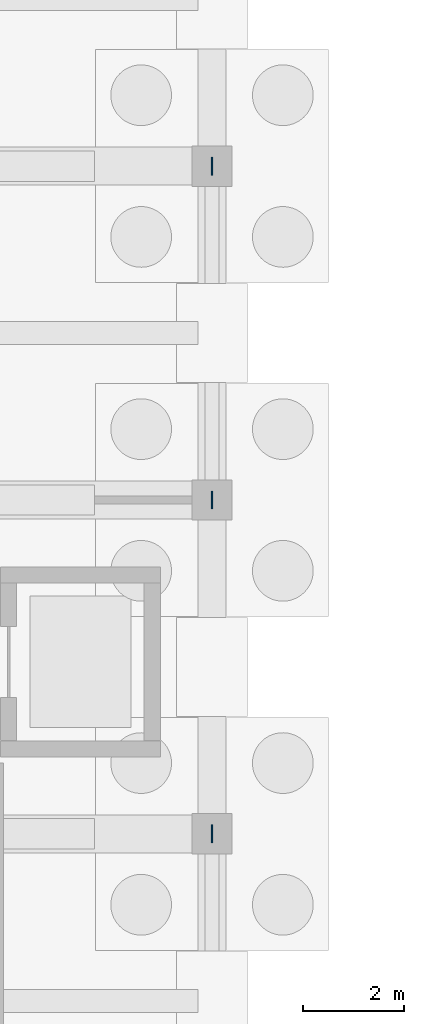
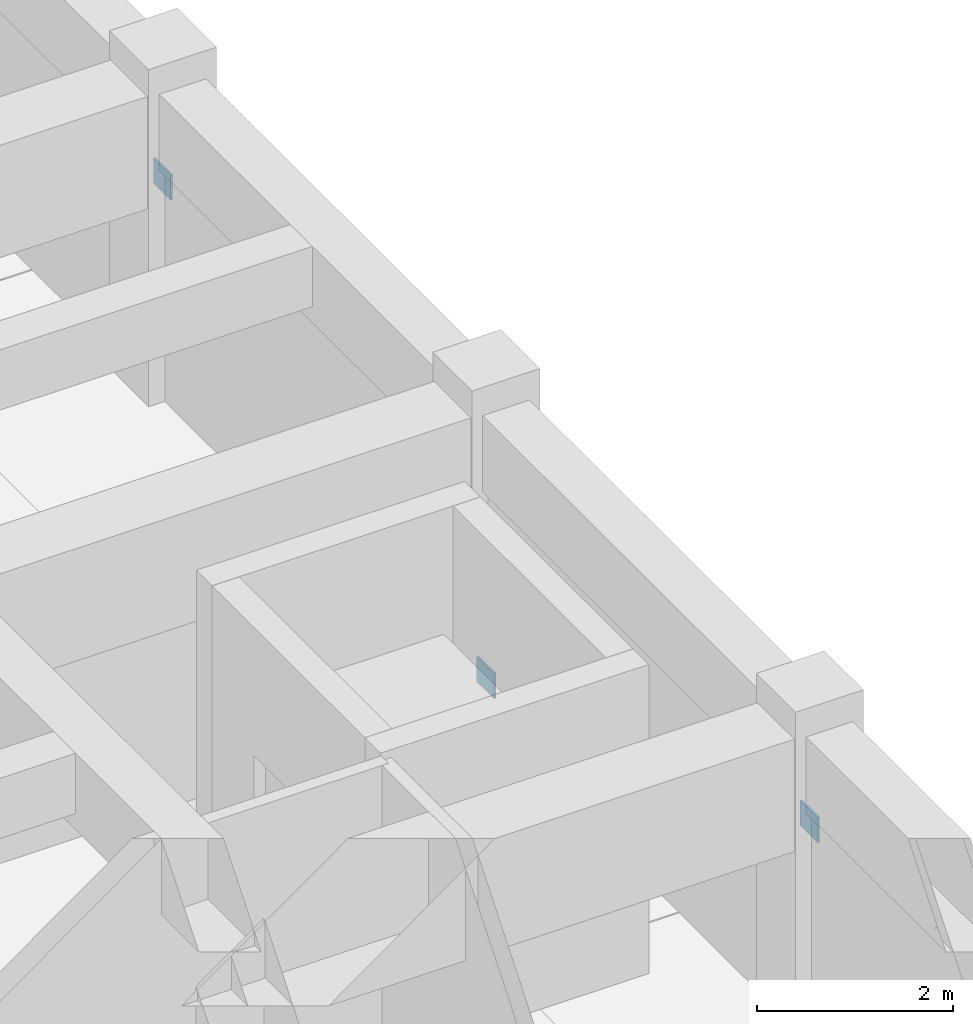
# One storey, part 39 of 58: 3 plates.
"""IFC4 building model written with IfcOpenShell, lengths in metres."""

from ifc_helpers import new_model, si_unit, direction, frame, origin, origin_2d, place, context, subcontext, project, spatial, rectangle, extrude, material, layer, layer_set, type_object, element, save


model = new_model("IFC4")

# Units and contexts
model_context = context("Model", 3, precision=1e-05, world=origin(), true_north=direction((0.0, 1.0)))
body_context = subcontext(model_context, "Body", "Model", "MODEL_VIEW")
ifc_project = project(units=[si_unit("LENGTHUNIT", "METRE"), si_unit("AREAUNIT", "SQUARE_METRE"), si_unit("VOLUMEUNIT", "CUBIC_METRE"), si_unit("PLANEANGLEUNIT", "RADIAN"), si_unit("MASSUNIT", "GRAM", prefix="KILO")], contexts=[model_context])

# Site, building, storey
site_placement = place(None, origin())
site = spatial("IfcSite", under=ifc_project, at=site_placement, CompositionType="ELEMENT")
building_placement = place(site_placement, origin())
building = spatial("IfcBuilding", under=site, at=building_placement, Name="Karori Crest Natural Sciences Institute", CompositionType="ELEMENT")
storey_placement = place(building_placement, frame((0.0, 0.0, -4.199951171875)))
storey = spatial("IfcBuildingStorey", under=building, at=storey_placement, Name="B1", CompositionType="ELEMENT", Elevation=-4.199951171875)

# Plates
ifc_material = material(Name="Structural steel AS/NZS 3679.1 Grade 350", Category="steel")
ifc_layer = layer(ifc_material, 0.02490234375, Name="Structural steel AS/NZS 3679.1 Grade 350")
ifc_layer_set = layer_set([ifc_layer], Name="Structural steel AS/NZS 3679.1 Grade 350")
plate_type = type_object("IfcPlateType", Name="PLT-06", PredefinedType="SHEET", material=ifc_layer_set)
for number, where, z_axis, x_axis, name in (
    (1, (27.199951171875, 101.60009765625, 2.303466796875), (0.0, 0.0, 1.0), (0.0, 1.0, 0.0), "Brace gusset plate EP-0359"),
    (2, (27.199951171875, 108.199951171875, 0.093505859375), (0.0, 0.0, 1.0), (0.0, 1.0, 0.0), "Brace gusset plate EP-0360"),
    (3, (27.199951171875, 114.800048828125, 2.303466796875), (0.0, 0.0, 1.0), (0.0, 1.0, 0.0), "Brace gusset plate EP-0361"),
):
    element("IfcPlate", number, at=place(storey_placement, frame(where, z_axis=z_axis, x_axis=x_axis)), inside=storey, type_object=plate_type, Name=name, PredefinedType="SHEET", context=body_context, shape_type="SweptSolid", body=[
        extrude(rectangle(XDim=0.35302734375, YDim=0.02490234375, at=origin_2d()), origin(), (0.0, 0.0, 1.0), 0.31298828125),
    ])

save(model, "model.ifc")
